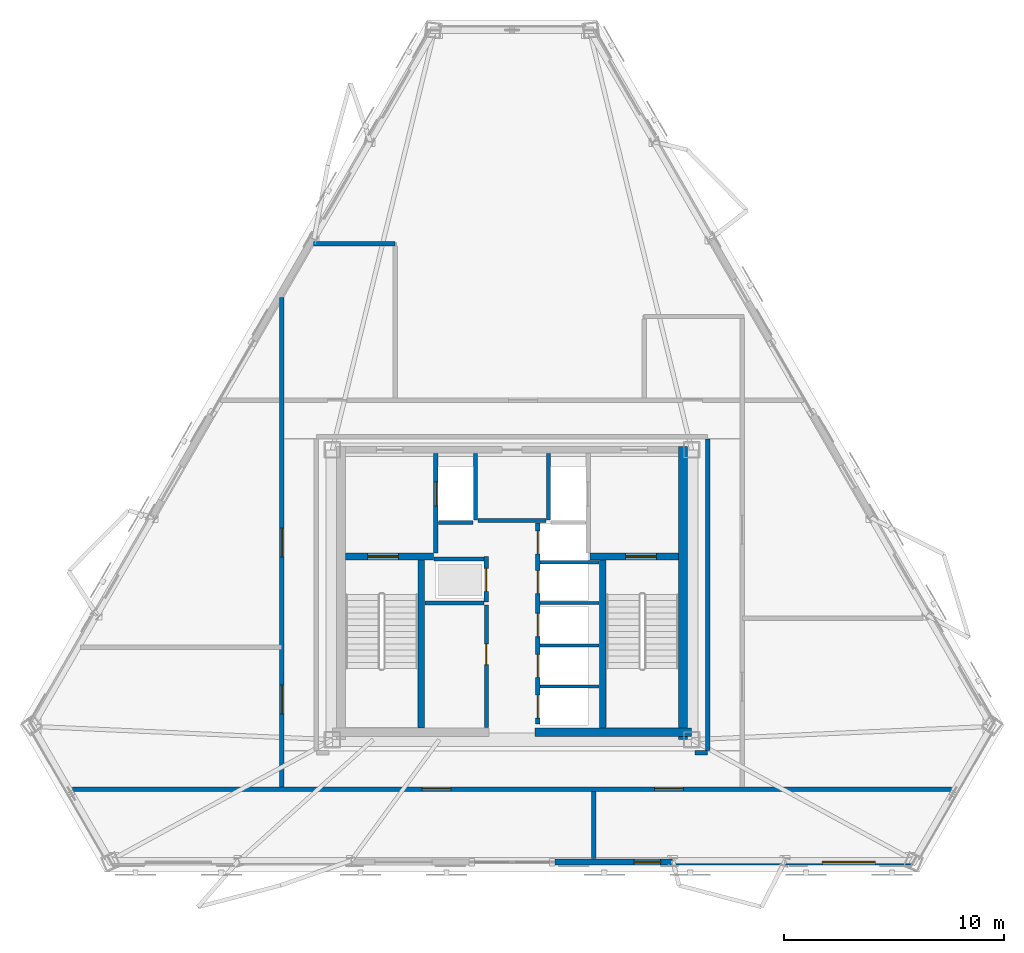
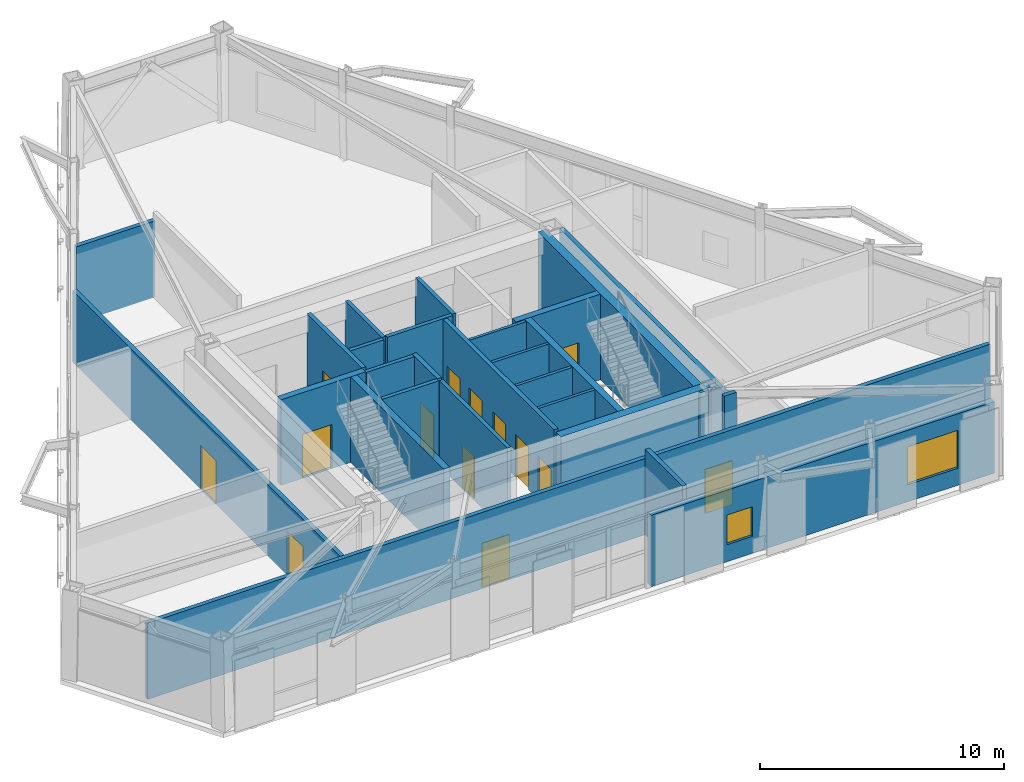
# One storey, part 8 of 14: 27 walls, 14 doors, 2 windows, 16 openings.
"""IFC4 building model written with IfcOpenShell, lengths in metres."""

from ifc_helpers import new_model, si_unit, direction, frame, frame_2d, origin, place, context, subcontext, project, spatial, rectangle, extrude, material, layer, layer_set, type_object, element, fill, save


model = new_model("IFC4")

# Units and contexts
model_context = context("Model", 3, precision=1e-05, world=origin(), true_north=direction((0.0, 1.0)))
body_context = subcontext(model_context, "Body", "Model", "MODEL_VIEW")
ifc_project = project(units=[si_unit("LENGTHUNIT", "METRE"), si_unit("AREAUNIT", "SQUARE_METRE"), si_unit("VOLUMEUNIT", "CUBIC_METRE"), si_unit("PLANEANGLEUNIT", "RADIAN"), si_unit("MASSUNIT", "GRAM", prefix="KILO")], contexts=[model_context])

# Site, building, storey
site_placement = place(None, origin())
site = spatial("IfcSite", under=ifc_project, at=site_placement, CompositionType="ELEMENT")
building_placement = place(site_placement, origin())
building = spatial("IfcBuilding", under=site, at=building_placement, Name="Oramaril Tower", CompositionType="ELEMENT")
storey_placement = place(building_placement, frame((0.0, 0.0, 204.60009765625)))
storey = spatial("IfcBuildingStorey", under=building, at=storey_placement, Name="L54", CompositionType="ELEMENT", Elevation=204.60009765625)

# Wall, openings, windows
ifc_material_1 = material(Name="Warm Cream Limestone", Category="masonry")
ifc_layer_1 = layer(ifc_material_1, 0.2900390625)
ifc_layer_set_1 = layer_set([ifc_layer_1], Name="WT-EXT29")
wall_type_1 = type_object("IfcWallType", Name="WT-EXT29", PredefinedType="SOLIDWALL", material=ifc_layer_set_1)
wall_1_placement = place(storey_placement, frame((39.449951171875, 5.44921875, 0.0), z_axis=(0.0, 0.0, 1.0), x_axis=(1.0, 0.0, 0.0)))
wall_1 = element("IfcWall", 1, at=wall_1_placement, inside=storey, type_object=wall_type_1, Name="L54 Tower Limestone Facade Wall 2R", PredefinedType="SOLIDWALL", context=body_context, shape_type="SweptSolid", body=[
    extrude(rectangle(XDim=16.2548828125, YDim=0.2900390625, at=frame_2d((8.12744140625, 0.0))), origin(), (0.0, 0.0, 1.0), 3.576904296875),
])
opening_1_placement = place(wall_1_placement, frame((3.588623046875, 0.0, 0.85009765625)))
opening_1 = element("IfcOpeningElement", 2, at=opening_1_placement, cuts=wall_1, Name="Opening WN-09", PredefinedType="OPENING", context=body_context, shape_type="SweptSolid", body=[
    extrude(rectangle(XDim=1.199951171875, YDim=1.47998046875, at=frame_2d((0.60009765625, 0.739990234375))), frame((0.0, 0.14501953125, 0.0), z_axis=(0.0, -1.0, 0.0), x_axis=(1.0, 0.0, 0.0)), (0.0, 0.0, 1.0), 0.2900390625),
])
opening_2_placement = place(wall_1_placement, frame((12.135498046875, 0.0, 0.85009765625)))
opening_2 = element("IfcOpeningElement", 3, at=opening_2_placement, cuts=wall_1, Name="Opening WN-03", PredefinedType="OPENING", context=body_context, shape_type="SweptSolid", body=[
    extrude(rectangle(XDim=2.39990234375, YDim=1.89990234375, at=frame_2d((1.199951171875, 0.949951171875))), frame((0.0, 0.14501953125, 0.0), z_axis=(0.0, -1.0, 0.0), x_axis=(1.0, 0.0, 0.0)), (0.0, 0.0, 1.0), 0.2900390625),
])
ifc_material_2 = material(Name="Coastal Low-E Insulated Glass", Category="glass")
window_type_1 = type_object("IfcWindowType", Name="WNT-03", PartitioningType="SINGLE_PANEL", PredefinedType="WINDOW", material=ifc_material_2)
window_1_placement = place(opening_2_placement, origin())
window_1 = element("IfcWindow", 4, at=window_1_placement, inside=storey, type_object=window_type_1, Name="L54 Chicago Bay Window WN-03", OverallHeight=1.89990234375, OverallWidth=2.39990234375, PartitioningType="SINGLE_PANEL", PredefinedType="WINDOW", context=body_context, shape_type="SweptSolid", body=[
    extrude(rectangle(XDim=2.39990234375, YDim=1.89990234375, at=frame_2d((1.199951171875, 0.949951171875))), frame((0.0, 0.030029296875, 0.0), z_axis=(0.0, -1.0, 0.0), x_axis=(1.0, 0.0, 0.0)), (0.0, 0.0, 1.0), 0.06005859375),
])
fill(opening_2, window_1)
ifc_material_3 = material(Name="Coastal Low-E Insulated Glass", Category="glass")
window_type_2 = type_object("IfcWindowType", Name="WNT-09", PartitioningType="SINGLE_PANEL", PredefinedType="WINDOW", material=ifc_material_3)
window_2_placement = place(opening_1_placement, origin())
window_2 = element("IfcWindow", 5, at=window_2_placement, inside=storey, type_object=window_type_2, Name="L54 Chicago Bay Window WN-09", OverallHeight=1.47998046875, OverallWidth=1.199951171875, PartitioningType="SINGLE_PANEL", PredefinedType="WINDOW", context=body_context, shape_type="SweptSolid", body=[
    extrude(rectangle(XDim=1.199951171875, YDim=1.47998046875, at=frame_2d((0.60009765625, 0.739990234375))), frame((0.0, 0.030029296875, 0.0), z_axis=(0.0, -1.0, 0.0), x_axis=(1.0, 0.0, 0.0)), (0.0, 0.0, 1.0), 0.06005859375),
])
fill(opening_1, window_2)

# Walls
ifc_material_4 = material(Name="Acoustic Gypsum Board Partition")
ifc_layer_2 = layer(ifc_material_4, 0.139892578125)
ifc_layer_set_2 = layer_set([ifc_layer_2], Name="WT-PT14")
wall_type_2 = type_object("IfcWallType", Name="WT-PT14", PredefinedType="PARTITIONING", material=ifc_layer_set_2)
for number, where, z_axis, x_axis, name in (
    (6, (38.780029296875, 13.419921875, 0.0), (0.0, 0.0, 1.0), (1.0, 0.0, 0.0), "L54 East Lift Divider"),
    (7, (38.780029296875, 15.27001953125, 0.0), (0.0, 0.0, 1.0), (1.0, 0.0, 0.0), "L54 East Lift Divider"),
    (8, (38.780029296875, 17.199951171875, 0.0), (0.0, 0.0, 1.0), (1.0, 0.0, 0.0), "L54 East Lift Divider"),
    (9, (38.780029296875, 19.050048828125, 0.0), (0.0, 0.0, 1.0), (1.0, 0.0, 0.0), "L54 East Lift Divider"),
):
    element("IfcWall", number, at=place(storey_placement, frame(where, z_axis=z_axis, x_axis=x_axis)), inside=storey, type_object=wall_type_2, Name=name, PredefinedType="PARTITIONING", context=body_context, shape_type="SweptSolid", body=[
        extrude(rectangle(XDim=2.659912109375, YDim=0.139892578125, at=frame_2d((1.330078125, 0.0))), origin(), (0.0, 0.0, 1.0), 4.27978515625),
    ])
ifc_material_5 = material(Name="Autoclaved Cellular Concrete Block", Category="concrete")
ifc_layer_3 = layer(ifc_material_5, 0.179931640625)
ifc_layer_set_3 = layer_set([ifc_layer_3], Name="WT-PT18")
wall_type_3 = type_object("IfcWallType", Name="WT-PT18", PredefinedType="PARTITIONING", material=ifc_layer_set_3)
wall_2_placement = place(storey_placement, frame((35.840087890625, 20.9599609375, 0.0), z_axis=(0.0, 0.0, 1.0), x_axis=(0.0, 1.0, 0.0)))
element("IfcWall", 10, at=wall_2_placement, inside=storey, type_object=wall_type_3, Name="L54 FL-1 East Shaft Wall", PredefinedType="PARTITIONING", context=body_context, shape_type="SweptSolid", body=[
    extrude(rectangle(XDim=3.02001953125, YDim=0.179931640625, at=frame_2d((1.510009765625, 0.0))), origin(), (0.0, 0.0, 1.0), 4.27978515625),
])
wall_3_placement = place(storey_placement, frame((34.159912109375, 20.860107421875, 0.0), z_axis=(0.0, 0.0, 1.0), x_axis=(1.0, 0.0, 0.0)))
element("IfcWall", 11, at=wall_3_placement, inside=storey, type_object=wall_type_3, Name="L54 FL-1 South Shaft Wall", PredefinedType="PARTITIONING", context=body_context, shape_type="SweptSolid", body=[
    extrude(rectangle(XDim=1.580078125, YDim=0.179931640625, at=frame_2d((0.7900390625, 0.0))), origin(), (0.0, 0.0, 1.0), 4.27978515625),
])
wall_4_placement = place(storey_placement, frame((39.159912109375, 20.9599609375, 0.0), z_axis=(0.0, 0.0, 1.0), x_axis=(0.0, 1.0, 0.0)))
element("IfcWall", 12, at=wall_4_placement, inside=storey, type_object=wall_type_3, Name="L54 FL-2 West Shaft Wall", PredefinedType="PARTITIONING", context=body_context, shape_type="SweptSolid", body=[
    extrude(rectangle(XDim=3.02001953125, YDim=0.179931640625, at=frame_2d((1.510009765625, 0.0))), origin(), (0.0, 0.0, 1.0), 4.27978515625),
])
wall_5_placement = place(storey_placement, frame((33.949951171875, 19.199951171875, 0.0), z_axis=(0.0, 0.0, 1.0), x_axis=(1.0, 0.0, 0.0)))
element("IfcWall", 13, at=wall_5_placement, inside=storey, type_object=wall_type_3, Name="L54 High-Rise Lift H1 North Shaft Wall", PredefinedType="PARTITIONING", context=body_context, shape_type="SweptSolid", body=[
    extrude(rectangle(XDim=2.27001953125, YDim=0.179931640625, at=frame_2d((1.135009765625, 0.0))), origin(), (0.0, 0.0, 1.0), 4.27978515625),
])
wall_6_placement = place(storey_placement, frame((33.56005859375, 17.199951171875, 0.0), z_axis=(0.0, 0.0, 1.0), x_axis=(1.0, 0.0, 0.0)))
element("IfcWall", 14, at=wall_6_placement, inside=storey, type_object=wall_type_3, Name="L54 High-Rise Lift H1 South Wall", PredefinedType="PARTITIONING", context=body_context, shape_type="SweptSolid", body=[
    extrude(rectangle(XDim=2.659912109375, YDim=0.179931640625, at=frame_2d((1.330078125, 0.0))), origin(), (0.0, 0.0, 1.0), 4.27978515625),
])

# Wall, opening, door
wall_7_placement = place(storey_placement, frame((36.340087890625, 11.550048828125, 0.0), z_axis=(0.0, 0.0, 1.0), x_axis=(0.0, 1.0, 0.0)))
wall_7 = element("IfcWall", 15, at=wall_7_placement, inside=storey, type_object=wall_type_3, Name="L54 Freed Shaft Study East Wall", PredefinedType="PARTITIONING", context=body_context, shape_type="SweptSolid", body=[
    extrude(rectangle(XDim=5.550048828125, YDim=0.179931640625, at=frame_2d((2.77490234375, 0.0))), origin(), (0.0, 0.0, 1.0), 4.27978515625),
])
opening_3_placement = place(wall_7_placement, frame((2.85009765625, 0.0, 0.0)))
opening_3 = element("IfcOpeningElement", 16, at=opening_3_placement, cuts=wall_7, Name="Opening D-L54-FL1", PredefinedType="OPENING", context=body_context, shape_type="SweptSolid", body=[
    extrude(rectangle(XDim=0.949951171875, YDim=2.10009765625, at=frame_2d((0.47509765625, 1.050048828125))), frame((0.0, 0.08984375, 0.0), z_axis=(0.0, -1.0, 0.0), x_axis=(1.0, 0.0, 0.0)), (0.0, 0.0, 1.0), 0.179931640625),
])
ifc_material_6 = material(Name="FSC Brazilian Freijo Hardwood", Category="wood")
door_type_1 = type_object("IfcDoorType", Name="DT-STDY", OperationType="NOTDEFINED", PredefinedType="DOOR", material=ifc_material_6)
door_1_placement = place(opening_3_placement, origin())
door_1 = element("IfcDoor", 17, at=door_1_placement, inside=storey, type_object=door_type_1, Name="L54 L54 Sky Concierge Office Door", OperationType="SINGLE_SWING_LEFT", OverallHeight=2.10009765625, OverallWidth=0.949951171875, PredefinedType="DOOR", context=body_context, shape_type="SweptSolid", body=[
    extrude(rectangle(XDim=0.949951171875, YDim=2.10009765625, at=frame_2d((0.47509765625, 1.050048828125))), frame((0.0, 0.02490234375, 0.0), z_axis=(0.0, -1.0, 0.0), x_axis=(1.0, 0.0, 0.0)), (0.0, 0.0, 1.0), 0.050048828125),
])
fill(opening_3, door_1)

# Wall
wall_8_placement = place(storey_placement, frame((35.949951171875, 20.949951171875, 0.0), z_axis=(0.0, 0.0, 1.0), x_axis=(1.0, 0.0, 0.0)))
element("IfcWall", 18, at=wall_8_placement, inside=storey, type_object=wall_type_3, Name="L54 Lift Lobby North Partition", PredefinedType="PARTITIONING", context=body_context, shape_type="SweptSolid", body=[
    extrude(rectangle(XDim=3.10009765625, YDim=0.179931640625, at=frame_2d((1.550048828125, 0.0))), origin(), (0.0, 0.0, 1.0), 4.27978515625),
])

# Wall, openings, doors
ifc_material_7 = material(Name="Autoclaved Cellular Concrete Block", Category="concrete")
ifc_layer_4 = layer(ifc_material_7, 0.199951171875)
ifc_layer_set_4 = layer_set([ifc_layer_4], Name="WT-PT20")
wall_type_4 = type_object("IfcWallType", Name="WT-PT20", PredefinedType="PARTITIONING", material=ifc_layer_set_4)
wall_9_placement = place(storey_placement, frame((17.5615234375, 8.75, 0.0), z_axis=(0.0, 0.0, 1.0), x_axis=(1.0, 0.0, 0.0)))
wall_9 = element("IfcWall", 19, at=wall_9_placement, inside=storey, type_object=wall_type_4, Name="L54 Interior Partition PT-20", PredefinedType="PARTITIONING", context=body_context, shape_type="SweptSolid", body=[
    extrude(rectangle(XDim=39.876953125, YDim=0.199951171875, at=frame_2d((19.9384765625, 0.0))), origin(), (0.0, 0.0, 1.0), 3.81298828125),
])
opening_4_placement = place(wall_9_placement, frame((15.864990234375, 0.0, 0.0)))
opening_4 = element("IfcOpeningElement", 20, at=opening_4_placement, cuts=wall_9, Name="Opening D-L54-01", PredefinedType="OPENING", context=body_context, shape_type="SweptSolid", body=[
    extrude(rectangle(XDim=1.300048828125, YDim=2.199951171875, at=frame_2d((0.64990234375, 1.10009765625))), frame((0.0, 0.10009765625, 0.0), z_axis=(0.0, -1.0, 0.0), x_axis=(1.0, 0.0, 0.0)), (0.0, 0.0, 1.0), 0.199951171875),
])
opening_5_placement = place(wall_9_placement, frame((26.412109375, 0.0, 0.0)))
opening_5 = element("IfcOpeningElement", 21, at=opening_5_placement, cuts=wall_9, Name="Opening D-L54-02", PredefinedType="OPENING", context=body_context, shape_type="SweptSolid", body=[
    extrude(rectangle(XDim=1.300048828125, YDim=2.199951171875, at=frame_2d((0.64990234375, 1.10009765625))), frame((0.0, 0.10009765625, 0.0), z_axis=(0.0, -1.0, 0.0), x_axis=(1.0, 0.0, 0.0)), (0.0, 0.0, 1.0), 0.199951171875),
])
ifc_material_8 = material(Name="FSC Brazilian Freijo Hardwood", Category="wood")
door_type_2 = type_object("IfcDoorType", Name="DT-COM", OperationType="NOTDEFINED", PredefinedType="DOOR", material=ifc_material_8)
door_2_placement = place(opening_4_placement, origin())
door_2 = element("IfcDoor", 22, at=door_2_placement, inside=storey, type_object=door_type_2, Name="L54 L54 Panoramic Sky Lounge Door D-L54-01", OperationType="SINGLE_SWING_RIGHT", OverallHeight=2.199951171875, OverallWidth=1.300048828125, PredefinedType="DOOR", context=body_context, shape_type="SweptSolid", body=[
    extrude(rectangle(XDim=1.300048828125, YDim=2.199951171875, at=frame_2d((0.64990234375, 1.10009765625))), frame((0.0, 0.02490234375, 0.0), z_axis=(0.0, -1.0, 0.0), x_axis=(1.0, 0.0, 0.0)), (0.0, 0.0, 1.0), 0.050048828125),
])
fill(opening_4, door_2)
door_3_placement = place(opening_5_placement, origin())
door_3 = element("IfcDoor", 23, at=door_3_placement, inside=storey, type_object=door_type_2, Name="L54 L54 Sky Dining Room and Bistro Door D-L54-02", OperationType="SINGLE_SWING_LEFT", OverallHeight=2.199951171875, OverallWidth=1.300048828125, PredefinedType="DOOR", context=body_context, shape_type="SweptSolid", body=[
    extrude(rectangle(XDim=1.300048828125, YDim=2.199951171875, at=frame_2d((0.64990234375, 1.10009765625))), frame((0.0, 0.02490234375, 0.0), z_axis=(0.0, -1.0, 0.0), x_axis=(1.0, 0.0, 0.0)), (0.0, 0.0, 1.0), 0.050048828125),
])
fill(opening_5, door_3)

# Walls
wall_10_placement = place(storey_placement, frame((45.800048828125, 10.39990234375, 0.0), z_axis=(0.0, 0.0, 1.0), x_axis=(1.0, 0.0, 0.0)))
element("IfcWall", 24, at=wall_10_placement, inside=storey, type_object=wall_type_4, Name="L54 Interior Partition PT-20", PredefinedType="PARTITIONING", context=body_context, shape_type="SweptSolid", body=[
    extrude(rectangle(XDim=0.579833984375, YDim=0.199951171875, at=frame_2d((0.2900390625, 0.0))), origin(), (0.0, 0.0, 1.0), 4.27978515625),
])
wall_11_placement = place(storey_placement, frame((28.4912109375, 33.5, 0.0), z_axis=(0.0, 0.0, 1.0), x_axis=(1.0, 0.0, 0.0)))
element("IfcWall", 25, at=wall_11_placement, inside=storey, type_object=wall_type_4, Name="L54 Interior Partition PT-20", PredefinedType="PARTITIONING", context=body_context, shape_type="SweptSolid", body=[
    extrude(rectangle(XDim=3.708740234375, YDim=0.199951171875, at=frame_2d((1.8544921875, 0.0))), origin(), (0.0, 0.0, 1.0), 3.81298828125),
])

# Wall, openings, doors
wall_12_placement = place(storey_placement, frame((27.050048828125, 8.85400390625, 0.0), z_axis=(0.0, 0.0, 1.0), x_axis=(0.0, 1.0, 0.0)))
wall_12 = element("IfcWall", 26, at=wall_12_placement, inside=storey, type_object=wall_type_4, Name="L54 Interior Partition PT-20", PredefinedType="PARTITIONING", context=body_context, shape_type="SweptSolid", body=[
    extrude(rectangle(XDim=22.217529296875, YDim=0.199951171875, at=frame_2d((11.10888671875, 0.0))), origin(), (0.0, 0.0, 1.0), 3.576904296875),
])
opening_6_placement = place(wall_12_placement, frame((3.322021484375, 0.0, 0.0)))
opening_6 = element("IfcOpeningElement", 27, at=opening_6_placement, cuts=wall_12, Name="Opening D-L54-06", PredefinedType="OPENING", context=body_context, shape_type="SweptSolid", body=[
    extrude(rectangle(XDim=1.300048828125, YDim=2.199951171875, at=frame_2d((0.64990234375, 1.10009765625))), frame((0.0, 0.10009765625, 0.0), z_axis=(0.0, -1.0, 0.0), x_axis=(1.0, 0.0, 0.0)), (0.0, 0.0, 1.0), 0.199951171875),
])
opening_7_placement = place(wall_12_placement, frame((10.445068359375, 0.0, 0.0)))
opening_7 = element("IfcOpeningElement", 28, at=opening_7_placement, cuts=wall_12, Name="Opening D-L54-07", PredefinedType="OPENING", context=body_context, shape_type="SweptSolid", body=[
    extrude(rectangle(XDim=1.300048828125, YDim=2.199951171875, at=frame_2d((0.64990234375, 1.10009765625))), frame((0.0, 0.10009765625, 0.0), z_axis=(0.0, -1.0, 0.0), x_axis=(1.0, 0.0, 0.0)), (0.0, 0.0, 1.0), 0.199951171875),
])
door_4_placement = place(opening_6_placement, origin())
door_4 = element("IfcDoor", 29, at=door_4_placement, inside=storey, type_object=door_type_2, Name="L54 L54 Sky Catering Kitchen Door D-L54-06", OperationType="SINGLE_SWING_LEFT", OverallHeight=2.199951171875, OverallWidth=1.300048828125, PredefinedType="DOOR", context=body_context, shape_type="SweptSolid", body=[
    extrude(rectangle(XDim=1.300048828125, YDim=2.199951171875, at=frame_2d((0.64990234375, 1.10009765625))), frame((0.0, 0.02490234375, 0.0), z_axis=(0.0, -1.0, 0.0), x_axis=(1.0, 0.0, 0.0)), (0.0, 0.0, 1.0), 0.050048828125),
])
fill(opening_6, door_4)
door_5_placement = place(opening_7_placement, origin())
door_5 = element("IfcDoor", 30, at=door_5_placement, inside=storey, type_object=door_type_2, Name="L54 L54 Sky Reading Study Door D-L54-07", OperationType="SINGLE_SWING_RIGHT", OverallHeight=2.199951171875, OverallWidth=1.300048828125, PredefinedType="DOOR", context=body_context, shape_type="SweptSolid", body=[
    extrude(rectangle(XDim=1.300048828125, YDim=2.199951171875, at=frame_2d((0.64990234375, 1.10009765625))), frame((0.0, 0.02490234375, 0.0), z_axis=(0.0, -1.0, 0.0), x_axis=(1.0, 0.0, 0.0)), (0.0, 0.0, 1.0), 0.050048828125),
])
fill(opening_7, door_5)

# Walls
wall_13_placement = place(storey_placement, frame((41.199951171875, 5.598388671875, 0.0), z_axis=(0.0, 0.0, 1.0), x_axis=(0.0, 1.0, 0.0)))
element("IfcWall", 31, at=wall_13_placement, inside=storey, type_object=wall_type_4, Name="L54 Interior Partition PT-20", PredefinedType="PARTITIONING", context=body_context, shape_type="SweptSolid", body=[
    extrude(rectangle(XDim=3.047607421875, YDim=0.199951171875, at=frame_2d((1.52392578125, 0.0))), origin(), (0.0, 0.0, 1.0), 4.27978515625),
])
wall_14_placement = place(storey_placement, frame((46.3798828125, 10.50390625, 0.0), z_axis=(0.0, 0.0, 1.0), x_axis=(0.0, 1.0, 0.0)))
element("IfcWall", 32, at=wall_14_placement, inside=storey, type_object=wall_type_4, Name="L54 Interior Partition PT-20", PredefinedType="PARTITIONING", context=body_context, shape_type="SweptSolid", body=[
    extrude(rectangle(XDim=14.14208984375, YDim=0.199951171875, at=frame_2d((7.071044921875, 0.0))), origin(), (0.0, 0.0, 1.0), 3.81298828125),
])

# Wall, opening, door
ifc_material_9 = material(Name="Concrete C50/60", Category="concrete")
ifc_layer_5 = layer(ifc_material_9, 0.300048828125)
ifc_layer_set_5 = layer_set([ifc_layer_5], Name="WT-SH30")
wall_type_5 = type_object("IfcWallType", Name="WT-SH30", PredefinedType="SHEAR", material=ifc_layer_set_5)
wall_15_placement = place(storey_placement, frame((29.93994140625, 19.31005859375, 0.0), z_axis=(0.0, 0.0, 1.0), x_axis=(1.0, 0.0, 0.0)))
wall_15 = element("IfcWall", 33, at=wall_15_placement, inside=storey, type_object=wall_type_5, Name="L54 Core Shear Wall CW-ST1N", PredefinedType="SHEAR", context=body_context, shape_type="SweptSolid", body=[
    extrude(rectangle(XDim=4.010009765625, YDim=0.300048828125, at=frame_2d((2.0048828125, 0.0))), origin(), (0.0, 0.0, 1.0), 4.27978515625),
])
opening_8_placement = place(wall_15_placement, frame((1.010009765625, 0.0, 0.0)))
opening_8 = element("IfcOpeningElement", 34, at=opening_8_placement, cuts=wall_15, Name="Opening D-L54-ST1", PredefinedType="OPENING", context=body_context, shape_type="SweptSolid", body=[
    extrude(rectangle(XDim=1.39990234375, YDim=2.199951171875, at=frame_2d((0.699951171875, 1.10009765625))), frame((0.0, 0.14990234375, 0.0), z_axis=(0.0, -1.0, 0.0), x_axis=(1.0, 0.0, 0.0)), (0.0, 0.0, 1.0), 0.300048828125),
])
ifc_material_10 = material(Name="Painted Galvanised Steel", Category="steel")
door_type_3 = type_object("IfcDoorType", Name="DT-ST", OperationType="NOTDEFINED", PredefinedType="DOOR", material=ifc_material_10)
door_6_placement = place(opening_8_placement, origin())
door_6 = element("IfcDoor", 35, at=door_6_placement, inside=storey, type_object=door_type_3, Name="L54 Protected Stair ST-1 Fire Door", OperationType="SINGLE_SWING_LEFT", OverallHeight=2.199951171875, OverallWidth=1.39990234375, PredefinedType="DOOR", context=body_context, shape_type="SweptSolid", body=[
    extrude(rectangle(XDim=1.39990234375, YDim=2.199951171875, at=frame_2d((0.699951171875, 1.10009765625))), frame((0.0, 0.02490234375, 0.0), z_axis=(0.0, -1.0, 0.0), x_axis=(1.0, 0.0, 0.0)), (0.0, 0.0, 1.0), 0.050048828125),
])
fill(opening_8, door_6)

wall_16_placement = place(storey_placement, frame((41.050048828125, 19.31005859375, 0.0), z_axis=(0.0, 0.0, 1.0), x_axis=(1.0, 0.0, 0.0)))
wall_16 = element("IfcWall", 36, at=wall_16_placement, inside=storey, type_object=wall_type_5, Name="L54 Core Shear Wall CW-ST2N", PredefinedType="SHEAR", context=body_context, shape_type="SweptSolid", body=[
    extrude(rectangle(XDim=4.010009765625, YDim=0.300048828125, at=frame_2d((2.0048828125, 0.0))), origin(), (0.0, 0.0, 1.0), 4.27978515625),
])
opening_9_placement = place(wall_16_placement, frame((1.60009765625, 0.0, 0.0)))
opening_9 = element("IfcOpeningElement", 37, at=opening_9_placement, cuts=wall_16, Name="Opening D-L54-ST2", PredefinedType="OPENING", context=body_context, shape_type="SweptSolid", body=[
    extrude(rectangle(XDim=1.39990234375, YDim=2.199951171875, at=frame_2d((0.699951171875, 1.10009765625))), frame((0.0, 0.14990234375, 0.0), z_axis=(0.0, -1.0, 0.0), x_axis=(1.0, 0.0, 0.0)), (0.0, 0.0, 1.0), 0.300048828125),
])
door_7_placement = place(opening_9_placement, origin())
door_7 = element("IfcDoor", 38, at=door_7_placement, inside=storey, type_object=door_type_3, Name="L54 Protected Stair ST-2 Fire Door", OperationType="SINGLE_SWING_RIGHT", OverallHeight=2.199951171875, OverallWidth=1.39990234375, PredefinedType="DOOR", context=body_context, shape_type="SweptSolid", body=[
    extrude(rectangle(XDim=1.39990234375, YDim=2.199951171875, at=frame_2d((0.699951171875, 1.10009765625))), frame((0.0, 0.02490234375, 0.0), z_axis=(0.0, -1.0, 0.0), x_axis=(1.0, 0.0, 0.0)), (0.0, 0.0, 1.0), 0.050048828125),
])
fill(opening_9, door_7)

# Walls
for number, where, z_axis, x_axis, name in (
    (39, (33.3798828125, 11.5400390625, 0.0), (0.0, 0.0, 1.0), (0.0, 1.0, 0.0), "L54 Core Shear Wall CW-ST1E"),
    (40, (41.6201171875, 11.5400390625, 0.0), (0.0, 0.0, 1.0), (0.0, 1.0, 0.0), "L54 Core Shear Wall CW-ST2W"),
):
    element("IfcWall", number, at=place(storey_placement, frame(where, z_axis=z_axis, x_axis=x_axis)), inside=storey, type_object=wall_type_5, Name=name, PredefinedType="SHEAR", context=body_context, shape_type="SweptSolid", body=[
        extrude(rectangle(XDim=7.619873046875, YDim=0.300048828125, at=frame_2d((3.81005859375, 0.0))), origin(), (0.0, 0.0, 1.0), 4.27978515625),
    ])
ifc_material_11 = material(Name="Concrete C50/60", Category="concrete")
ifc_layer_6 = layer(ifc_material_11, 0.39990234375)
ifc_layer_set_6 = layer_set([ifc_layer_6], Name="WT-SH40")
wall_type_6 = type_object("IfcWallType", Name="WT-SH40", PredefinedType="SHEAR", material=ifc_layer_set_6)
wall_17_placement = place(storey_placement, frame((45.260009765625, 11.0, 0.0), z_axis=(0.0, 0.0, 1.0), x_axis=(0.0, 1.0, 0.0)))
element("IfcWall", 41, at=wall_17_placement, inside=storey, type_object=wall_type_6, Name="L54 Core Shear Wall CW-E", PredefinedType="SHEAR", context=body_context, shape_type="SweptSolid", body=[
    extrude(rectangle(XDim=13.300048828125, YDim=0.39990234375, at=frame_2d((6.64990234375, 0.0))), origin(), (0.0, 0.0, 1.0), 4.27978515625),
])
wall_18_placement = place(storey_placement, frame((38.550048828125, 11.340087890625, 0.0), z_axis=(0.0, 0.0, 1.0), x_axis=(1.0, 0.0, 0.0)))
element("IfcWall", 42, at=wall_18_placement, inside=storey, type_object=wall_type_6, Name="L54 Core Shear Wall CW-SE", PredefinedType="SHEAR", context=body_context, shape_type="SweptSolid", body=[
    extrude(rectangle(XDim=7.099853515625, YDim=0.39990234375, at=frame_2d((3.5498046875, 0.0))), origin(), (0.0, 0.0, 1.0), 4.27978515625),
])

# Wall, opening, door
ifc_material_12 = material(Name="Autoclaved Cellular Concrete Block", Category="concrete")
ifc_layer_7 = layer(ifc_material_12, 0.199951171875)
ifc_layer_set_7 = layer_set([ifc_layer_7], Name="WT-SHF20")
wall_type_7 = type_object("IfcWallType", Name="WT-SHF20", PredefinedType="PARTITIONING", material=ifc_layer_set_7)
wall_19_placement = place(storey_placement, frame((34.0400390625, 19.47998046875, 0.0), z_axis=(0.0, 0.0, 1.0), x_axis=(0.0, 1.0, 0.0)))
wall_19 = element("IfcWall", 43, at=wall_19_placement, inside=storey, type_object=wall_type_7, Name="L54 FL-1 Lobby Shaft Wall", PredefinedType="PARTITIONING", context=body_context, shape_type="SweptSolid", body=[
    extrude(rectangle(XDim=4.5, YDim=0.199951171875, at=frame_2d((2.25, 0.0))), origin(), (0.0, 0.0, 1.0), 4.27978515625),
])
opening_10_placement = place(wall_19_placement, frame((2.1201171875, 0.0, 0.0)))
opening_10 = element("IfcOpeningElement", 44, at=opening_10_placement, cuts=wall_19, Name="Opening LD-L54-FL-1", PredefinedType="OPENING", context=body_context, shape_type="SweptSolid", body=[
    extrude(rectangle(XDim=1.10009765625, YDim=2.199951171875, at=frame_2d((0.550048828125, 1.10009765625))), frame((0.0, 0.10009765625, 0.0), z_axis=(0.0, -1.0, 0.0), x_axis=(1.0, 0.0, 0.0)), (0.0, 0.0, 1.0), 0.199951171875),
])
ifc_material_13 = material(Name="Stainless Steel 316L", Category="steel")
door_type_4 = type_object("IfcDoorType", Name="DT-LD1", OperationType="NOTDEFINED", PredefinedType="DOOR", material=ifc_material_13)
door_8_placement = place(opening_10_placement, origin())
door_8 = element("IfcDoor", 45, at=door_8_placement, inside=storey, type_object=door_type_4, Name="L54 Lift FL-1 Sliding Landing Door", OperationType="SLIDING_TO_LEFT", OverallHeight=2.199951171875, OverallWidth=1.10009765625, PredefinedType="DOOR", context=body_context, shape_type="SweptSolid", body=[
    extrude(rectangle(XDim=1.10009765625, YDim=2.199951171875, at=frame_2d((0.550048828125, 1.10009765625))), frame((0.0, 0.02490234375, 0.0), z_axis=(0.0, -1.0, 0.0), x_axis=(1.0, 0.0, 0.0)), (0.0, 0.0, 1.0), 0.050048828125),
])
fill(opening_10, door_8)

wall_20_placement = place(storey_placement, frame((36.340087890625, 17.25, 0.0), z_axis=(0.0, 0.0, 1.0), x_axis=(0.0, 1.0, 0.0)))
wall_20 = element("IfcWall", 46, at=wall_20_placement, inside=storey, type_object=wall_type_7, Name="L54 High-Rise Lift H1 Front Wall", PredefinedType="PARTITIONING", context=body_context, shape_type="SweptSolid", body=[
    extrude(rectangle(XDim=2.070068359375, YDim=0.199951171875, at=frame_2d((1.03515625, 0.0))), origin(), (0.0, 0.0, 1.0), 4.27978515625),
])
opening_11_placement = place(wall_20_placement, frame((0.47509765625, 0.0, 0.0)))
opening_11 = element("IfcOpeningElement", 47, at=opening_11_placement, cuts=wall_20, Name="Opening LD-L54-LP-H1", PredefinedType="OPENING", context=body_context, shape_type="SweptSolid", body=[
    extrude(rectangle(XDim=1.050048828125, YDim=2.14990234375, at=frame_2d((0.52490234375, 1.074951171875))), frame((0.0, 0.10009765625, 0.0), z_axis=(0.0, -1.0, 0.0), x_axis=(1.0, 0.0, 0.0)), (0.0, 0.0, 1.0), 0.199951171875),
])
ifc_material_14 = material(Name="Stainless Steel 316L", Category="steel")
door_type_5 = type_object("IfcDoorType", Name="DT-LD2", OperationType="NOTDEFINED", PredefinedType="DOOR", material=ifc_material_14)
door_9_placement = place(opening_11_placement, origin())
door_9 = element("IfcDoor", 48, at=door_9_placement, inside=storey, type_object=door_type_5, Name="L54 Lift LP-H1 Sliding Landing Door", OperationType="SLIDING_TO_LEFT", OverallHeight=2.14990234375, OverallWidth=1.050048828125, PredefinedType="DOOR", context=body_context, shape_type="SweptSolid", body=[
    extrude(rectangle(XDim=1.050048828125, YDim=2.14990234375, at=frame_2d((0.52490234375, 1.074951171875))), frame((0.0, 0.02490234375, 0.0), z_axis=(0.0, -1.0, 0.0), x_axis=(1.0, 0.0, 0.0)), (0.0, 0.0, 1.0), 0.050048828125),
])
fill(opening_11, door_9)

# Wall, openings, doors
wall_21_placement = place(storey_placement, frame((38.659912109375, 11.719970703125, 0.0), z_axis=(0.0, 0.0, 1.0), x_axis=(0.0, 1.0, 0.0)))
wall_21 = element("IfcWall", 49, at=wall_21_placement, inside=storey, type_object=wall_type_7, Name="L54 East Lift Bank Front Wall", PredefinedType="PARTITIONING", context=body_context, shape_type="SweptSolid", body=[
    extrude(rectangle(XDim=9.10009765625, YDim=0.199951171875, at=frame_2d((4.550048828125, 0.0))), origin(), (0.0, 0.0, 1.0), 4.27978515625),
])
opening_12_placement = place(wall_21_placement, frame((0.2548828125, 0.0, 0.0)))
opening_12 = element("IfcOpeningElement", 50, at=opening_12_placement, cuts=wall_21, Name="Opening LD-L54-LP-M1", PredefinedType="OPENING", context=body_context, shape_type="SweptSolid", body=[
    extrude(rectangle(XDim=1.050048828125, YDim=2.14990234375, at=frame_2d((0.52490234375, 1.074951171875))), frame((0.0, 0.10009765625, 0.0), z_axis=(0.0, -1.0, 0.0), x_axis=(1.0, 0.0, 0.0)), (0.0, 0.0, 1.0), 0.199951171875),
])
opening_13_placement = place(wall_21_placement, frame((2.10498046875, 0.0, 0.0)))
opening_13 = element("IfcOpeningElement", 51, at=opening_13_placement, cuts=wall_21, Name="Opening LD-L54-LP-M2", PredefinedType="OPENING", context=body_context, shape_type="SweptSolid", body=[
    extrude(rectangle(XDim=1.050048828125, YDim=2.14990234375, at=frame_2d((0.52490234375, 1.074951171875))), frame((0.0, 0.10009765625, 0.0), z_axis=(0.0, -1.0, 0.0), x_axis=(1.0, 0.0, 0.0)), (0.0, 0.0, 1.0), 0.199951171875),
])
opening_14_placement = place(wall_21_placement, frame((3.955078125, 0.0, 0.0)))
opening_14 = element("IfcOpeningElement", 52, at=opening_14_placement, cuts=wall_21, Name="Opening LD-L54-LP-M3", PredefinedType="OPENING", context=body_context, shape_type="SweptSolid", body=[
    extrude(rectangle(XDim=1.050048828125, YDim=2.14990234375, at=frame_2d((0.52490234375, 1.074951171875))), frame((0.0, 0.10009765625, 0.0), z_axis=(0.0, -1.0, 0.0), x_axis=(1.0, 0.0, 0.0)), (0.0, 0.0, 1.0), 0.199951171875),
])
opening_15_placement = place(wall_21_placement, frame((5.905029296875, 0.0, 0.0)))
opening_15 = element("IfcOpeningElement", 53, at=opening_15_placement, cuts=wall_21, Name="Opening LD-L54-LP-H2", PredefinedType="OPENING", context=body_context, shape_type="SweptSolid", body=[
    extrude(rectangle(XDim=1.050048828125, YDim=2.14990234375, at=frame_2d((0.52490234375, 1.074951171875))), frame((0.0, 0.10009765625, 0.0), z_axis=(0.0, -1.0, 0.0), x_axis=(1.0, 0.0, 0.0)), (0.0, 0.0, 1.0), 0.199951171875),
])
opening_16_placement = place(wall_21_placement, frame((7.705078125, 0.0, 0.0)))
opening_16 = element("IfcOpeningElement", 54, at=opening_16_placement, cuts=wall_21, Name="Opening LD-L54-LP-H3", PredefinedType="OPENING", context=body_context, shape_type="SweptSolid", body=[
    extrude(rectangle(XDim=1.050048828125, YDim=2.14990234375, at=frame_2d((0.52490234375, 1.074951171875))), frame((0.0, 0.10009765625, 0.0), z_axis=(0.0, -1.0, 0.0), x_axis=(1.0, 0.0, 0.0)), (0.0, 0.0, 1.0), 0.199951171875),
])
door_10_placement = place(opening_12_placement, origin())
door_10 = element("IfcDoor", 55, at=door_10_placement, inside=storey, type_object=door_type_5, Name="L54 Lift LP-M1 Sliding Landing Door", OperationType="SLIDING_TO_RIGHT", OverallHeight=2.14990234375, OverallWidth=1.050048828125, PredefinedType="DOOR", context=body_context, shape_type="SweptSolid", body=[
    extrude(rectangle(XDim=1.050048828125, YDim=2.14990234375, at=frame_2d((0.52490234375, 1.074951171875))), frame((0.0, 0.02490234375, 0.0), z_axis=(0.0, -1.0, 0.0), x_axis=(1.0, 0.0, 0.0)), (0.0, 0.0, 1.0), 0.050048828125),
])
fill(opening_12, door_10)
door_11_placement = place(opening_13_placement, origin())
door_11 = element("IfcDoor", 56, at=door_11_placement, inside=storey, type_object=door_type_5, Name="L54 Lift LP-M2 Sliding Landing Door", OperationType="SLIDING_TO_LEFT", OverallHeight=2.14990234375, OverallWidth=1.050048828125, PredefinedType="DOOR", context=body_context, shape_type="SweptSolid", body=[
    extrude(rectangle(XDim=1.050048828125, YDim=2.14990234375, at=frame_2d((0.52490234375, 1.074951171875))), frame((0.0, 0.02490234375, 0.0), z_axis=(0.0, -1.0, 0.0), x_axis=(1.0, 0.0, 0.0)), (0.0, 0.0, 1.0), 0.050048828125),
])
fill(opening_13, door_11)
door_12_placement = place(opening_14_placement, origin())
door_12 = element("IfcDoor", 57, at=door_12_placement, inside=storey, type_object=door_type_5, Name="L54 Lift LP-M3 Sliding Landing Door", OperationType="SLIDING_TO_RIGHT", OverallHeight=2.14990234375, OverallWidth=1.050048828125, PredefinedType="DOOR", context=body_context, shape_type="SweptSolid", body=[
    extrude(rectangle(XDim=1.050048828125, YDim=2.14990234375, at=frame_2d((0.52490234375, 1.074951171875))), frame((0.0, 0.02490234375, 0.0), z_axis=(0.0, -1.0, 0.0), x_axis=(1.0, 0.0, 0.0)), (0.0, 0.0, 1.0), 0.050048828125),
])
fill(opening_14, door_12)
door_13_placement = place(opening_15_placement, origin())
door_13 = element("IfcDoor", 58, at=door_13_placement, inside=storey, type_object=door_type_5, Name="L54 Lift LP-H2 Sliding Landing Door", OperationType="SLIDING_TO_RIGHT", OverallHeight=2.14990234375, OverallWidth=1.050048828125, PredefinedType="DOOR", context=body_context, shape_type="SweptSolid", body=[
    extrude(rectangle(XDim=1.050048828125, YDim=2.14990234375, at=frame_2d((0.52490234375, 1.074951171875))), frame((0.0, 0.02490234375, 0.0), z_axis=(0.0, -1.0, 0.0), x_axis=(1.0, 0.0, 0.0)), (0.0, 0.0, 1.0), 0.050048828125),
])
fill(opening_15, door_13)
door_14_placement = place(opening_16_placement, origin())
door_14 = element("IfcDoor", 59, at=door_14_placement, inside=storey, type_object=door_type_5, Name="L54 Lift LP-H3 Sliding Landing Door", OperationType="SLIDING_TO_LEFT", OverallHeight=2.14990234375, OverallWidth=1.050048828125, PredefinedType="DOOR", context=body_context, shape_type="SweptSolid", body=[
    extrude(rectangle(XDim=1.050048828125, YDim=2.14990234375, at=frame_2d((0.52490234375, 1.074951171875))), frame((0.0, 0.02490234375, 0.0), z_axis=(0.0, -1.0, 0.0), x_axis=(1.0, 0.0, 0.0)), (0.0, 0.0, 1.0), 0.050048828125),
])
fill(opening_16, door_14)

save(model, "model.ifc")
